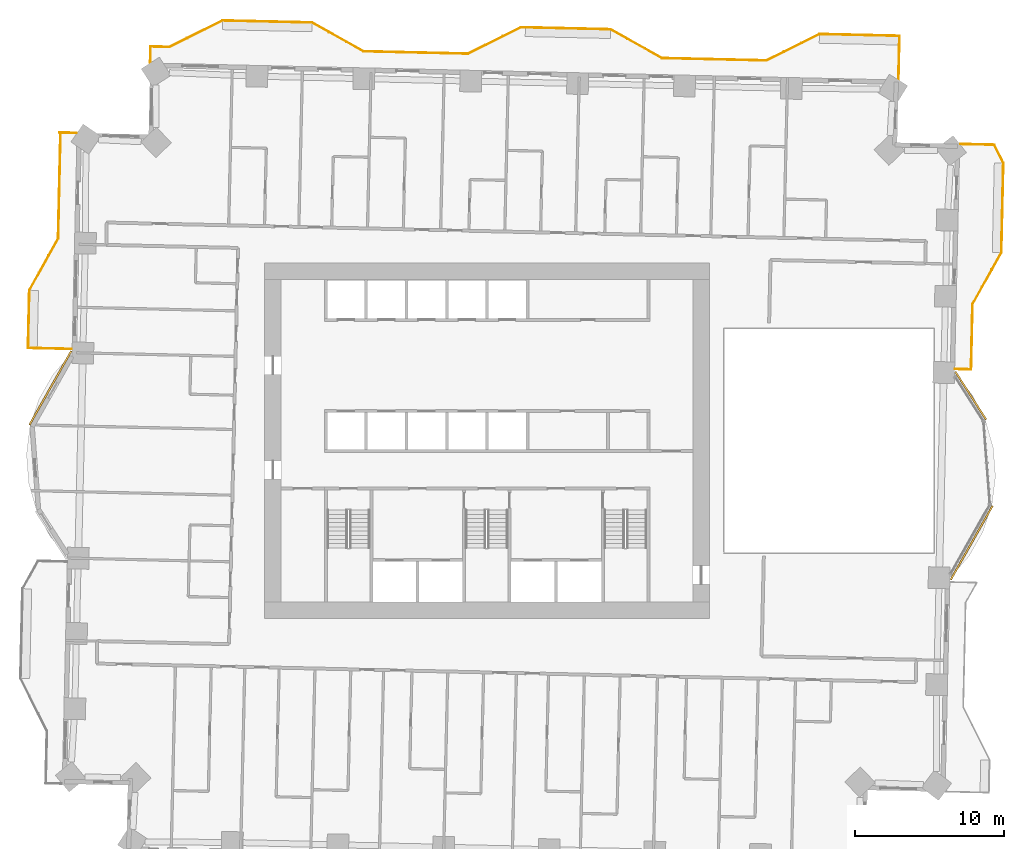
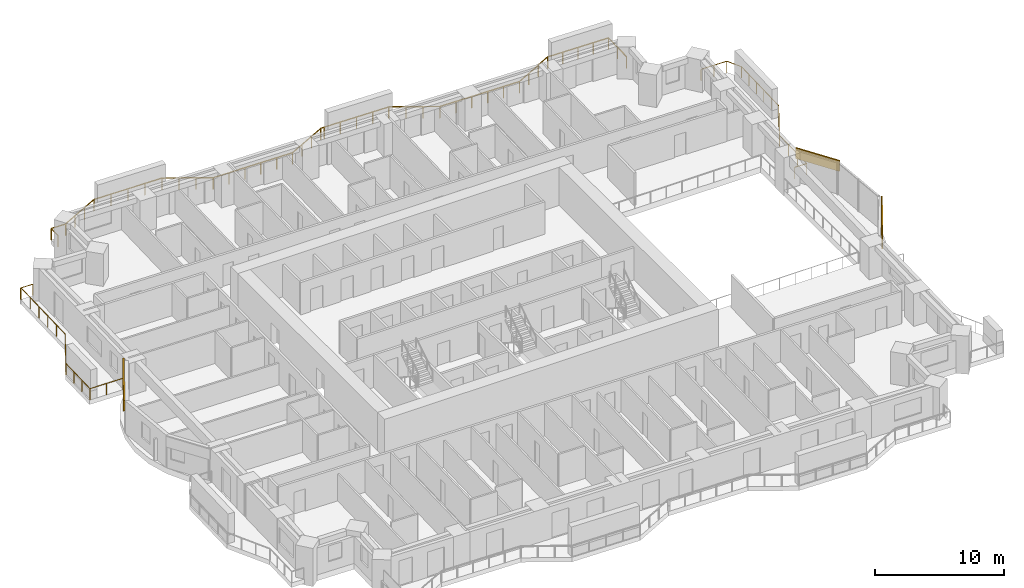
# One storey, part 18 of 18: 3 coverings, 3 railings.
"""IFC4 building model written with IfcOpenShell, lengths in metres."""

from ifc_helpers import new_model, si_unit, direction, frame, frame_2d, origin, origin_2d, place, context, subcontext, project, spatial, rectangle, extrude, material, layer, layer_set, type_object, element, save


model = new_model("IFC4")

# Units and contexts
model_context = context("Model", 3, precision=1e-05, world=origin(), true_north=direction((0.0, 1.0)))
body_context = subcontext(model_context, "Body", "Model", "MODEL_VIEW")
ifc_project = project(units=[si_unit("LENGTHUNIT", "METRE"), si_unit("AREAUNIT", "SQUARE_METRE"), si_unit("VOLUMEUNIT", "CUBIC_METRE"), si_unit("PLANEANGLEUNIT", "RADIAN"), si_unit("MASSUNIT", "GRAM", prefix="KILO")], contexts=[model_context])

# Site, building, storey
site_placement = place(None, origin())
site = spatial("IfcSite", under=ifc_project, at=site_placement, CompositionType="ELEMENT")
building_placement = place(site_placement, origin())
building = spatial("IfcBuilding", under=site, at=building_placement, Name="Mangrove Gate Tower", CompositionType="ELEMENT")
storey_placement = place(building_placement, frame((0.0, 0.0, 71.10009765625)))
storey = spatial("IfcBuildingStorey", under=building, at=storey_placement, Name="L17", CompositionType="ELEMENT", Elevation=71.10009765625)

# Railings
ifc_material_1 = material(Name="Stainless steel grade 316 with laminated glass infill", Category="steel")
railing_type = type_object("IfcRailingType", Name="Balcony guard 1100", PredefinedType="GUARDRAIL", material=ifc_material_1)
railing_1_placement = place(storey_placement, frame((31.362060546875, 4.802001953125, 0.0)))
element("IfcRailing", 1, at=railing_1_placement, inside=storey, type_object=railing_type, Name="GUARD L17 E2", PredefinedType="GUARDRAIL", context=body_context, shape_type="SweptSolid", body=[
    extrude(rectangle(XDim=0.048095703125, YDim=0.048095703125, at=origin_2d()), frame((0.0, 0.0, 1.076171875), z_axis=(0.999745389313, -0.022564497502, 0.0), x_axis=(0.022564497502, 0.999745389313, 0.0)), (0.0, 0.0, 1.0), 1.060302734375),
    extrude(rectangle(XDim=0.048095703125, YDim=0.048095703125, at=origin_2d()), frame((1.06005859375, -0.02392578125, 1.076171875), z_axis=(0.022606024383, 0.999744451178, 0.0), x_axis=(-0.999744451178, 0.022606024383, 0.0)), (0.0, 0.0, 1.0), 4.3740234375),
    extrude(rectangle(XDim=0.048095703125, YDim=0.048095703125, at=origin_2d()), frame((1.158935546875, 4.348876953125, 1.076171875), z_axis=(0.48726008209, 0.87325689943, 0.0), x_axis=(-0.87325689943, 0.48726008209, 0.0)), (0.0, 0.0, 1.0), 3.958740234375),
    extrude(rectangle(XDim=0.048095703125, YDim=0.048095703125, at=origin_2d()), frame((3.087890625, 7.805908203125, 1.076171875), z_axis=(0.022662255828, 0.999743178102, 0.0), x_axis=(-0.999743178102, 0.022662255828, 0.0)), (0.0, 0.0, 1.0), 6.00048828125),
    extrude(rectangle(XDim=0.048095703125, YDim=0.048095703125, at=origin_2d()), frame((3.223876953125, 13.804931640625, 1.076171875), z_axis=(-0.447141648494, 0.894463160886, 0.0), x_axis=(-0.894463160886, -0.447141648494, 0.0)), (0.0, 0.0, 1.0), 1.357421875),
    extrude(rectangle(XDim=0.048095703125, YDim=0.048095703125, at=origin_2d()), frame((2.616943359375, 15.01904296875, 1.076171875), z_axis=(-0.999748549019, 0.022424065974, 0.0), x_axis=(-0.022424065974, -0.999748549019, 0.0)), (0.0, 0.0, 1.0), 2.275390625),
    extrude(rectangle(XDim=0.0419921875, YDim=0.0419921875, at=origin_2d()), origin(), (0.0, 0.0, 1.0), 1.052001953125),
    extrude(rectangle(XDim=0.0419921875, YDim=0.0419921875, at=origin_2d()), frame((1.06005859375, -0.02392578125, 0.0)), (0.0, 0.0, 1.0), 1.052001953125),
    extrude(rectangle(XDim=0.0419921875, YDim=0.0419921875, at=origin_2d()), frame((1.093017578125, 1.43359375, 0.0)), (0.0, 0.0, 1.0), 1.052001953125),
    extrude(rectangle(XDim=0.0419921875, YDim=0.0419921875, at=origin_2d()), frame((1.1259765625, 2.891357421875, 0.0)), (0.0, 0.0, 1.0), 1.052001953125),
    extrude(rectangle(XDim=0.0419921875, YDim=0.0419921875, at=origin_2d()), frame((1.158935546875, 4.348876953125, 0.0)), (0.0, 0.0, 1.0), 1.052001953125),
    extrude(rectangle(XDim=0.0419921875, YDim=0.0419921875, at=origin_2d()), frame((1.802001953125, 5.501220703125, 0.0)), (0.0, 0.0, 1.0), 1.052001953125),
    extrude(rectangle(XDim=0.0419921875, YDim=0.0419921875, at=origin_2d()), frame((2.44482421875, 6.653564453125, 0.0)), (0.0, 0.0, 1.0), 1.052001953125),
    extrude(rectangle(XDim=0.0419921875, YDim=0.0419921875, at=origin_2d()), frame((3.087890625, 7.805908203125, 0.0)), (0.0, 0.0, 1.0), 1.052001953125),
    extrude(rectangle(XDim=0.0419921875, YDim=0.0419921875, at=origin_2d()), frame((3.114990234375, 9.005615234375, 0.0)), (0.0, 0.0, 1.0), 1.052001953125),
    extrude(rectangle(XDim=0.0419921875, YDim=0.0419921875, at=origin_2d()), frame((3.142333984375, 10.20556640625, 0.0)), (0.0, 0.0, 1.0), 1.052001953125),
    extrude(rectangle(XDim=0.0419921875, YDim=0.0419921875, at=origin_2d()), frame((3.16943359375, 11.4052734375, 0.0)), (0.0, 0.0, 1.0), 1.052001953125),
    extrude(rectangle(XDim=0.0419921875, YDim=0.0419921875, at=origin_2d()), frame((3.19677734375, 12.605224609375, 0.0)), (0.0, 0.0, 1.0), 1.052001953125),
    extrude(rectangle(XDim=0.0419921875, YDim=0.0419921875, at=origin_2d()), frame((3.223876953125, 13.804931640625, 0.0)), (0.0, 0.0, 1.0), 1.052001953125),
    extrude(rectangle(XDim=0.0419921875, YDim=0.0419921875, at=origin_2d()), frame((2.616943359375, 15.01904296875, 0.0)), (0.0, 0.0, 1.0), 1.052001953125),
    extrude(rectangle(XDim=0.0419921875, YDim=0.0419921875, at=origin_2d()), frame((1.4794921875, 15.04443359375, 0.0)), (0.0, 0.0, 1.0), 1.052001953125),
    extrude(rectangle(XDim=0.0419921875, YDim=0.0419921875, at=origin_2d()), frame((0.342041015625, 15.070068359375, 0.0)), (0.0, 0.0, 1.0), 1.052001953125),
])
railing_2_placement = place(storey_placement, frame((27.56103515625, 24.2080078125, 0.0)))
element("IfcRailing", 2, at=railing_2_placement, inside=storey, type_object=railing_type, Name="GUARD L17 N1", PredefinedType="GUARDRAIL", context=body_context, shape_type="SweptSolid", body=[
    extrude(rectangle(XDim=0.048095703125, YDim=0.048095703125, at=origin_2d()), frame((0.0, 0.0, 1.076171875), z_axis=(0.022654696127, 0.999743349437, 0.0), x_axis=(-0.999743349437, 0.022654696127, 0.0)), (0.0, 0.0, 1.0), 2.90966796875),
    extrude(rectangle(XDim=0.048095703125, YDim=0.048095703125, at=origin_2d()), frame((0.06591796875, 2.908935546875, 1.076171875), z_axis=(-0.99974134217, 0.022743103466, 0.0), x_axis=(-0.022743103466, -0.99974134217, 0.0)), (0.0, 0.0, 1.0), 5.367431640625),
    extrude(rectangle(XDim=0.048095703125, YDim=0.048095703125, at=origin_2d()), frame((-5.300048828125, 3.031005859375, 1.076171875), z_axis=(-0.894476522376, -0.447114919141, 0.0), x_axis=(0.447114919141, -0.894476522376, 0.0)), (0.0, 0.0, 1.0), 3.958740234375),
    extrude(rectangle(XDim=0.048095703125, YDim=0.048095703125, at=origin_2d()), frame((-8.841064453125, 1.260986328125, 1.076171875), z_axis=(-0.999745423737, 0.022562972274, 0.0), x_axis=(-0.022562972274, -0.999745423737, 0.0)), (0.0, 0.0, 1.0), 7.000732421875),
    extrude(rectangle(XDim=0.048095703125, YDim=0.048095703125, at=origin_2d()), frame((-15.840087890625, 1.4189453125, 1.076171875), z_axis=(-0.87325689943, 0.48726008209, 0.0), x_axis=(-0.48726008209, -0.87325689943, 0.0)), (0.0, 0.0, 1.0), 3.958740234375),
    extrude(rectangle(XDim=0.048095703125, YDim=0.048095703125, at=origin_2d()), frame((-19.297119140625, 3.347900390625, 1.076171875), z_axis=(-0.999739330573, 0.02283135795, 0.0), x_axis=(-0.02283135795, -0.999739330573, 0.0)), (0.0, 0.0, 1.0), 5.699462890625),
    extrude(rectangle(XDim=0.048095703125, YDim=0.048095703125, at=origin_2d()), frame((-24.9951171875, 3.47802734375, 1.076171875), z_axis=(-0.999809071236, 0.019540242435, 0.0), x_axis=(-0.019540242435, -0.999809071236, 0.0)), (0.0, 0.0, 1.0), 0.2998046875),
    extrude(rectangle(XDim=0.048095703125, YDim=0.048095703125, at=origin_2d()), frame((-25.294921875, 3.48388671875, 1.076171875), z_axis=(-0.894501186021, -0.447065574839, 0.0), x_axis=(0.447065574839, -0.894501186021, 0.0)), (0.0, 0.0, 1.0), 3.958740234375),
    extrude(rectangle(XDim=0.048095703125, YDim=0.048095703125, at=origin_2d()), frame((-28.8359375, 1.714111328125, 1.076171875), z_axis=(-0.999742195543, 0.022705559911, 0.0), x_axis=(-0.022705559911, -0.999742195543, 0.0)), (0.0, 0.0, 1.0), 6.999755859375),
    extrude(rectangle(XDim=0.048095703125, YDim=0.048095703125, at=origin_2d()), frame((-35.833984375, 1.873046875, 1.076171875), z_axis=(-0.873315448515, 0.487155136876, 0.0), x_axis=(-0.487155136876, -0.873315448515, 0.0)), (0.0, 0.0, 1.0), 3.959716796875),
    extrude(rectangle(XDim=0.048095703125, YDim=0.048095703125, at=origin_2d()), frame((-39.2919921875, 3.802001953125, 1.076171875), z_axis=(-0.999743094499, 0.022665943652, 0.0), x_axis=(-0.022665943652, -0.999743094499, 0.0)), (0.0, 0.0, 1.0), 5.99951171875),
    extrude(rectangle(XDim=0.048095703125, YDim=0.048095703125, at=origin_2d()), frame((-45.2900390625, 3.93798828125, 1.076171875), z_axis=(-0.894476522376, -0.447114919141, 0.0), x_axis=(0.447114919141, -0.894476522376, 0.0)), (0.0, 0.0, 1.0), 3.958740234375),
    extrude(rectangle(XDim=0.048095703125, YDim=0.048095703125, at=origin_2d()), frame((-48.8310546875, 2.16796875, 1.076171875), z_axis=(-0.999737645147, 0.022905040387, 0.0), x_axis=(-0.022905040387, -0.999737645147, 0.0)), (0.0, 0.0, 1.0), 1.268310546875),
    extrude(rectangle(XDim=0.048095703125, YDim=0.048095703125, at=origin_2d()), frame((-50.09912109375, 2.197021484375, 1.076171875), z_axis=(-0.022564497502, -0.999745389313, 0.0), x_axis=(0.999745389313, -0.022564497502, 0.0)), (0.0, 0.0, 1.0), 1.060302734375),
    extrude(rectangle(XDim=0.0419921875, YDim=0.0419921875, at=origin_2d()), origin(), (0.0, 0.0, 1.0), 1.052001953125),
    extrude(rectangle(XDim=0.0419921875, YDim=0.0419921875, at=origin_2d()), frame((0.032958984375, 1.45458984375, 0.0)), (0.0, 0.0, 1.0), 1.052001953125),
    extrude(rectangle(XDim=0.0419921875, YDim=0.0419921875, at=origin_2d()), frame((0.06591796875, 2.908935546875, 0.0)), (0.0, 0.0, 1.0), 1.052001953125),
    extrude(rectangle(XDim=0.0419921875, YDim=0.0419921875, at=origin_2d()), frame((-1.275634765625, 2.939453125, 0.0)), (0.0, 0.0, 1.0), 1.052001953125),
    extrude(rectangle(XDim=0.0419921875, YDim=0.0419921875, at=origin_2d()), frame((-2.6171875, 2.969970703125, 0.0)), (0.0, 0.0, 1.0), 1.052001953125),
    extrude(rectangle(XDim=0.0419921875, YDim=0.0419921875, at=origin_2d()), frame((-3.95849609375, 3.00048828125, 0.0)), (0.0, 0.0, 1.0), 1.052001953125),
    extrude(rectangle(XDim=0.0419921875, YDim=0.0419921875, at=origin_2d()), frame((-5.300048828125, 3.031005859375, 0.0)), (0.0, 0.0, 1.0), 1.052001953125),
    extrude(rectangle(XDim=0.0419921875, YDim=0.0419921875, at=origin_2d()), frame((-6.48046875, 2.44091796875, 0.0)), (0.0, 0.0, 1.0), 1.052001953125),
    extrude(rectangle(XDim=0.0419921875, YDim=0.0419921875, at=origin_2d()), frame((-7.66064453125, 1.85107421875, 0.0)), (0.0, 0.0, 1.0), 1.052001953125),
    extrude(rectangle(XDim=0.0419921875, YDim=0.0419921875, at=origin_2d()), frame((-8.841064453125, 1.260986328125, 0.0)), (0.0, 0.0, 1.0), 1.052001953125),
    extrude(rectangle(XDim=0.0419921875, YDim=0.0419921875, at=origin_2d()), frame((-10.240966796875, 1.29248046875, 0.0)), (0.0, 0.0, 1.0), 1.052001953125),
    extrude(rectangle(XDim=0.0419921875, YDim=0.0419921875, at=origin_2d()), frame((-11.640625, 1.32421875, 0.0)), (0.0, 0.0, 1.0), 1.052001953125),
    extrude(rectangle(XDim=0.0419921875, YDim=0.0419921875, at=origin_2d()), frame((-13.04052734375, 1.355712890625, 0.0)), (0.0, 0.0, 1.0), 1.052001953125),
    extrude(rectangle(XDim=0.0419921875, YDim=0.0419921875, at=origin_2d()), frame((-14.440185546875, 1.387451171875, 0.0)), (0.0, 0.0, 1.0), 1.052001953125),
    extrude(rectangle(XDim=0.0419921875, YDim=0.0419921875, at=origin_2d()), frame((-15.840087890625, 1.4189453125, 0.0)), (0.0, 0.0, 1.0), 1.052001953125),
    extrude(rectangle(XDim=0.0419921875, YDim=0.0419921875, at=origin_2d()), frame((-16.992431640625, 2.06201171875, 0.0)), (0.0, 0.0, 1.0), 1.052001953125),
    extrude(rectangle(XDim=0.0419921875, YDim=0.0419921875, at=origin_2d()), frame((-18.144775390625, 2.704833984375, 0.0)), (0.0, 0.0, 1.0), 1.052001953125),
    extrude(rectangle(XDim=0.0419921875, YDim=0.0419921875, at=origin_2d()), frame((-19.297119140625, 3.347900390625, 0.0)), (0.0, 0.0, 1.0), 1.052001953125),
    extrude(rectangle(XDim=0.0419921875, YDim=0.0419921875, at=origin_2d()), frame((-20.7216796875, 3.38037109375, 0.0)), (0.0, 0.0, 1.0), 1.052001953125),
    extrude(rectangle(XDim=0.0419921875, YDim=0.0419921875, at=origin_2d()), frame((-22.14599609375, 3.4130859375, 0.0)), (0.0, 0.0, 1.0), 1.052001953125),
    extrude(rectangle(XDim=0.0419921875, YDim=0.0419921875, at=origin_2d()), frame((-23.570556640625, 3.445556640625, 0.0)), (0.0, 0.0, 1.0), 1.052001953125),
    extrude(rectangle(XDim=0.0419921875, YDim=0.0419921875, at=origin_2d()), frame((-24.9951171875, 3.47802734375, 0.0)), (0.0, 0.0, 1.0), 1.052001953125),
    extrude(rectangle(XDim=0.0419921875, YDim=0.0419921875, at=origin_2d()), frame((-25.294921875, 3.48388671875, 0.0)), (0.0, 0.0, 1.0), 1.052001953125),
    extrude(rectangle(XDim=0.0419921875, YDim=0.0419921875, at=origin_2d()), frame((-26.475341796875, 2.89404296875, 0.0)), (0.0, 0.0, 1.0), 1.052001953125),
    extrude(rectangle(XDim=0.0419921875, YDim=0.0419921875, at=origin_2d()), frame((-27.655517578125, 2.303955078125, 0.0)), (0.0, 0.0, 1.0), 1.052001953125),
    extrude(rectangle(XDim=0.0419921875, YDim=0.0419921875, at=origin_2d()), frame((-28.8359375, 1.714111328125, 0.0)), (0.0, 0.0, 1.0), 1.052001953125),
    extrude(rectangle(XDim=0.0419921875, YDim=0.0419921875, at=origin_2d()), frame((-30.235595703125, 1.745849609375, 0.0)), (0.0, 0.0, 1.0), 1.052001953125),
    extrude(rectangle(XDim=0.0419921875, YDim=0.0419921875, at=origin_2d()), frame((-31.63525390625, 1.777587890625, 0.0)), (0.0, 0.0, 1.0), 1.052001953125),
    extrude(rectangle(XDim=0.0419921875, YDim=0.0419921875, at=origin_2d()), frame((-33.03466796875, 1.8095703125, 0.0)), (0.0, 0.0, 1.0), 1.052001953125),
    extrude(rectangle(XDim=0.0419921875, YDim=0.0419921875, at=origin_2d()), frame((-34.434326171875, 1.84130859375, 0.0)), (0.0, 0.0, 1.0), 1.052001953125),
    extrude(rectangle(XDim=0.0419921875, YDim=0.0419921875, at=origin_2d()), frame((-35.833984375, 1.873046875, 0.0)), (0.0, 0.0, 1.0), 1.052001953125),
    extrude(rectangle(XDim=0.0419921875, YDim=0.0419921875, at=origin_2d()), frame((-36.986572265625, 2.51611328125, 0.0)), (0.0, 0.0, 1.0), 1.052001953125),
    extrude(rectangle(XDim=0.0419921875, YDim=0.0419921875, at=origin_2d()), frame((-38.139404296875, 3.158935546875, 0.0)), (0.0, 0.0, 1.0), 1.052001953125),
    extrude(rectangle(XDim=0.0419921875, YDim=0.0419921875, at=origin_2d()), frame((-39.2919921875, 3.802001953125, 0.0)), (0.0, 0.0, 1.0), 1.052001953125),
    extrude(rectangle(XDim=0.0419921875, YDim=0.0419921875, at=origin_2d()), frame((-40.79150390625, 3.8359375, 0.0)), (0.0, 0.0, 1.0), 1.052001953125),
    extrude(rectangle(XDim=0.0419921875, YDim=0.0419921875, at=origin_2d()), frame((-42.291015625, 3.8701171875, 0.0)), (0.0, 0.0, 1.0), 1.052001953125),
    extrude(rectangle(XDim=0.0419921875, YDim=0.0419921875, at=origin_2d()), frame((-43.79052734375, 3.904052734375, 0.0)), (0.0, 0.0, 1.0), 1.052001953125),
    extrude(rectangle(XDim=0.0419921875, YDim=0.0419921875, at=origin_2d()), frame((-45.2900390625, 3.93798828125, 0.0)), (0.0, 0.0, 1.0), 1.052001953125),
    extrude(rectangle(XDim=0.0419921875, YDim=0.0419921875, at=origin_2d()), frame((-46.470458984375, 3.347900390625, 0.0)), (0.0, 0.0, 1.0), 1.052001953125),
    extrude(rectangle(XDim=0.0419921875, YDim=0.0419921875, at=origin_2d()), frame((-47.650634765625, 2.758056640625, 0.0)), (0.0, 0.0, 1.0), 1.052001953125),
    extrude(rectangle(XDim=0.0419921875, YDim=0.0419921875, at=origin_2d()), frame((-48.8310546875, 2.16796875, 0.0)), (0.0, 0.0, 1.0), 1.052001953125),
    extrude(rectangle(XDim=0.0419921875, YDim=0.0419921875, at=origin_2d()), frame((-50.09912109375, 2.197021484375, 0.0)), (0.0, 0.0, 1.0), 1.052001953125),
    extrude(rectangle(XDim=0.0419921875, YDim=0.0419921875, at=origin_2d()), frame((-50.123046875, 1.136962890625, 0.0)), (0.0, 0.0, 1.0), 1.052001953125),
])
railing_3_placement = place(storey_placement, frame((-27.510009765625, 20.615966796875, 0.0)))
element("IfcRailing", 3, at=railing_3_placement, inside=storey, type_object=railing_type, Name="GUARD L17 W1", PredefinedType="GUARDRAIL", context=body_context, shape_type="SweptSolid", body=[
    extrude(rectangle(XDim=0.048095703125, YDim=0.048095703125, at=origin_2d()), frame((0.0, 0.0, 1.076171875), z_axis=(-0.999744883205, 0.022586910061, 0.0), x_axis=(-0.022586910061, -0.999744883205, 0.0)), (0.0, 0.0, 1.0), 1.11328125),
    extrude(rectangle(XDim=0.048095703125, YDim=0.048095703125, at=origin_2d()), frame((-1.113037109375, 0.025146484375, 1.076171875), z_axis=(0.450660299579, -0.892695521655, 0.0), x_axis=(0.892695521655, 0.450660299579, 0.0)), (0.0, 0.0, 1.0), 0.11328125),
    extrude(rectangle(XDim=0.048095703125, YDim=0.048095703125, at=origin_2d()), frame((-1.06201171875, -0.075927734375, 1.076171875), z_axis=(-0.022705559911, -0.999742195543, 0.0), x_axis=(0.999742195543, -0.022705559911, 0.0)), (0.0, 0.0, 1.0), 6.999755859375),
    extrude(rectangle(XDim=0.048095703125, YDim=0.048095703125, at=origin_2d()), frame((-1.220947265625, -7.073974609375, 1.076171875), z_axis=(-0.48726008209, -0.87325689943, 0.0), x_axis=(0.87325689943, -0.48726008209, 0.0)), (0.0, 0.0, 1.0), 3.958740234375),
    extrude(rectangle(XDim=0.048095703125, YDim=0.048095703125, at=origin_2d()), frame((-3.14990234375, -10.531005859375, 1.076171875), z_axis=(-0.022744303924, -0.999741314861, 0.0), x_axis=(0.999741314861, -0.022744303924, 0.0)), (0.0, 0.0, 1.0), 3.875),
    extrude(rectangle(XDim=0.048095703125, YDim=0.048095703125, at=origin_2d()), frame((-3.238037109375, -14.405029296875, 1.076171875), z_axis=(0.999743349437, -0.022654696127, 0.0), x_axis=(0.022654696127, 0.999743349437, 0.0)), (0.0, 0.0, 1.0), 2.90966796875),
    extrude(rectangle(XDim=0.0419921875, YDim=0.0419921875, at=origin_2d()), origin(), (0.0, 0.0, 1.0), 1.052001953125),
    extrude(rectangle(XDim=0.0419921875, YDim=0.0419921875, at=origin_2d()), frame((-1.113037109375, 0.025146484375, 0.0)), (0.0, 0.0, 1.0), 1.052001953125),
    extrude(rectangle(XDim=0.0419921875, YDim=0.0419921875, at=origin_2d()), frame((-1.06201171875, -0.075927734375, 0.0)), (0.0, 0.0, 1.0), 1.052001953125),
    extrude(rectangle(XDim=0.0419921875, YDim=0.0419921875, at=origin_2d()), frame((-1.09375, -1.4755859375, 0.0)), (0.0, 0.0, 1.0), 1.052001953125),
    extrude(rectangle(XDim=0.0419921875, YDim=0.0419921875, at=origin_2d()), frame((-1.12548828125, -2.875244140625, 0.0)), (0.0, 0.0, 1.0), 1.052001953125),
    extrude(rectangle(XDim=0.0419921875, YDim=0.0419921875, at=origin_2d()), frame((-1.157470703125, -4.274658203125, 0.0)), (0.0, 0.0, 1.0), 1.052001953125),
    extrude(rectangle(XDim=0.0419921875, YDim=0.0419921875, at=origin_2d()), frame((-1.189208984375, -5.67431640625, 0.0)), (0.0, 0.0, 1.0), 1.052001953125),
    extrude(rectangle(XDim=0.0419921875, YDim=0.0419921875, at=origin_2d()), frame((-1.220947265625, -7.073974609375, 0.0)), (0.0, 0.0, 1.0), 1.052001953125),
    extrude(rectangle(XDim=0.0419921875, YDim=0.0419921875, at=origin_2d()), frame((-1.864013671875, -8.226318359375, 0.0)), (0.0, 0.0, 1.0), 1.052001953125),
    extrude(rectangle(XDim=0.0419921875, YDim=0.0419921875, at=origin_2d()), frame((-2.5068359375, -9.378662109375, 0.0)), (0.0, 0.0, 1.0), 1.052001953125),
    extrude(rectangle(XDim=0.0419921875, YDim=0.0419921875, at=origin_2d()), frame((-3.14990234375, -10.531005859375, 0.0)), (0.0, 0.0, 1.0), 1.052001953125),
    extrude(rectangle(XDim=0.0419921875, YDim=0.0419921875, at=origin_2d()), frame((-3.17919921875, -11.822265625, 0.0)), (0.0, 0.0, 1.0), 1.052001953125),
    extrude(rectangle(XDim=0.0419921875, YDim=0.0419921875, at=origin_2d()), frame((-3.208740234375, -13.11376953125, 0.0)), (0.0, 0.0, 1.0), 1.052001953125),
    extrude(rectangle(XDim=0.0419921875, YDim=0.0419921875, at=origin_2d()), frame((-3.238037109375, -14.405029296875, 0.0)), (0.0, 0.0, 1.0), 1.052001953125),
    extrude(rectangle(XDim=0.0419921875, YDim=0.0419921875, at=origin_2d()), frame((-1.78369140625, -14.43798828125, 0.0)), (0.0, 0.0, 1.0), 1.052001953125),
    extrude(rectangle(XDim=0.0419921875, YDim=0.0419921875, at=origin_2d()), frame((-0.3291015625, -14.470947265625, 0.0)), (0.0, 0.0, 1.0), 1.052001953125),
])

# Coverings
ifc_material_2 = material(Name="Limestone", Category="masonry")
ifc_layer_1 = layer(ifc_material_2, 0.0400390625, Name="Limestone cladding")
ifc_material_3 = material(Name="Stainless steel anchors and cavity", Category="steel")
ifc_layer_2 = layer(ifc_material_3, 0.080078125, Name="Fixing cavity")
ifc_layer_set = layer_set([ifc_layer_1, ifc_layer_2], Name="Joint fascia cladding 120")
covering_type = type_object("IfcCoveringType", Name="Joint fascia cladding 120", PredefinedType="CLADDING", material=ifc_layer_set)
covering_1_placement = place(storey_placement, frame((31.052001953125, -9.320068359375, 2.0498046875), z_axis=(0.0, 0.0, 1.0), x_axis=(0.492549299416, 0.870284544069, 0.0)))
element("IfcCovering", 4, at=covering_1_placement, inside=storey, type_object=covering_type, Name="STONE FASCIA L17 E1.L1", PredefinedType="CLADDING", context=body_context, shape_type="SweptSolid", body=[
    extrude(rectangle(XDim=5.705078125, YDim=0.1201171875, at=frame_2d((2.8525390625, 0.0))), origin(), (0.0, 0.0, 1.0), 1.0),
])
covering_2_placement = place(storey_placement, frame((33.426025390625, 1.4189453125, 2.0498046875), z_axis=(0.0, 0.0, 1.0), x_axis=(-0.540457066708, 0.841371593914, 0.0)))
element("IfcCovering", 5, at=covering_2_placement, inside=storey, type_object=covering_type, Name="STONE FASCIA L17 E1.L2", PredefinedType="CLADDING", context=body_context, shape_type="SweptSolid", body=[
    extrude(rectangle(XDim=3.81884765625, YDim=0.1201171875, at=frame_2d((1.909423828125, 0.0))), origin(), (0.0, 0.0, 1.0), 1.0),
])
covering_3_placement = place(storey_placement, frame((-27.85205078125, 6.02001953125, 2.0498046875), z_axis=(0.0, 0.0, 1.0), x_axis=(-0.492549299416, -0.870284544069, 0.0)))
element("IfcCovering", 6, at=covering_3_placement, inside=storey, type_object=covering_type, Name="STONE FASCIA L17 W9.L1", PredefinedType="CLADDING", context=body_context, shape_type="SweptSolid", body=[
    extrude(rectangle(XDim=5.705078125, YDim=0.1201171875, at=frame_2d((2.8525390625, 0.0))), origin(), (0.0, 0.0, 1.0), 1.0),
])

save(model, "model.ifc")
